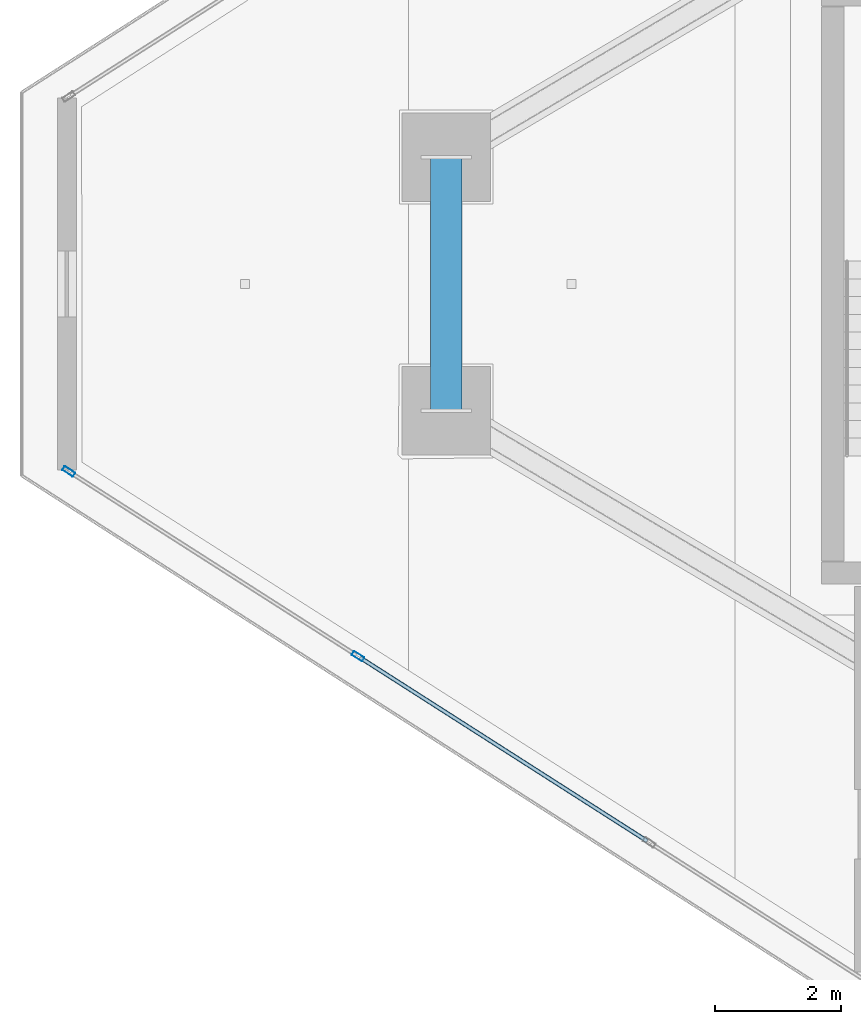
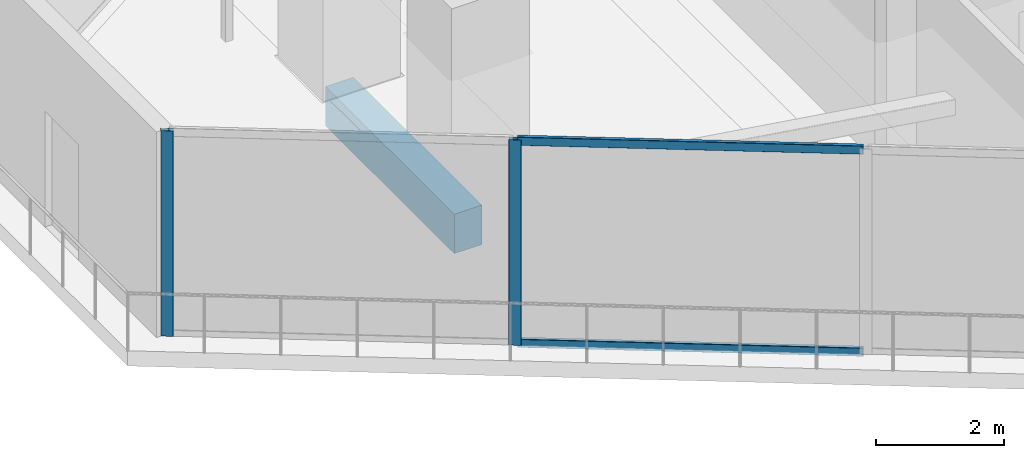
# One storey, part 5 of 30: 4 members, 1 beam, 1 element without a shape of its own.
"""IFC4 building model written with IfcOpenShell, lengths in metres."""

import ifcopenshell
import ifcopenshell.guid

model = None  # the IFC model being written
_history = None  # IfcOwnerHistory: only IFC2X3 demands one
_inside = {}  # id of a spatial element -> (the spatial element, [elements in it])
_under = {}  # id of a project, library or spatial element -> (it, [spatial elements below it])
_declared = {}  # id of a project -> (the project, [libraries it declares])
_typed = {}  # id of a type object -> (the type object, [elements of that type])
_made_of = {}  # id of a material, layer set ... -> (it, [elements and type objects made of it])


def new_model(schema):
    """Start an empty IFC model of exactly this schema.

    Asked for "IFC4X3", IfcOpenShell would pick the latest addendum, in which some entities
    have other attributes; the version numbers below select the first issue.
    IFC2X3 requires an IfcOwnerHistory on every rooted entity: one is made here for all.
    """
    global model, _history
    if schema == "IFC4X3":
        model = ifcopenshell.file(schema_version=(4, 3, 0, 0))
    else:
        model = ifcopenshell.file(schema=schema)
    _inside.clear()
    _under.clear()
    _declared.clear()
    _typed.clear()
    _made_of.clear()
    _history = None
    if model.schema == "IFC2X3":
        org = make("IfcOrganization", Name="unknown")
        user = make(
            "IfcPersonAndOrganization",
            ThePerson=make("IfcPerson", FamilyName="unknown"),
            TheOrganization=org,
        )
        app = make(
            "IfcApplication",
            ApplicationDeveloper=org,
            Version="unknown",
            ApplicationFullName="unknown",
            ApplicationIdentifier="unknown",
        )
        _history = make(
            "IfcOwnerHistory",
            OwningUser=user,
            OwningApplication=app,
            ChangeAction="ADDED",
            CreationDate=0,
        )
    return model


def make(cls, **values):
    """One entity of the class cls with the attributes given. An attribute that is None is left unset."""
    return model.create_entity(
        cls, **{name: value for name, value in values.items() if value is not None}
    )


def rooted(cls, **values):
    """An entity with a GlobalId (a new one), such as an element, a storey or a relation."""
    return make(cls, GlobalId=ifcopenshell.guid.new(), OwnerHistory=_history, **values)


def si_unit(unit_type, name, prefix=None):
    """IfcSIUnit, for example si_unit("LENGTHUNIT", "METRE", prefix="MILLI")."""
    return make("IfcSIUnit", UnitType=unit_type, Prefix=prefix, Name=name)


def assignment(units):
    """IfcUnitAssignment: the units of a project."""
    return None if units is None else make("IfcUnitAssignment", Units=units)


def point(xyz):
    """IfcCartesianPoint."""
    return None if xyz is None else make("IfcCartesianPoint", Coordinates=xyz)


def direction(xyz):
    """IfcDirection."""
    return None if xyz is None else make("IfcDirection", DirectionRatios=xyz)


def frame(location, z_axis=None, x_axis=None):
    """IfcAxis2Placement3D, a coordinate frame: its origin and axes. An axis left out is left unset."""
    return make(
        "IfcAxis2Placement3D",
        Location=point(location),
        Axis=direction(z_axis),
        RefDirection=direction(x_axis),
    )


def frame_2d(location, x_axis=None):
    """IfcAxis2Placement2D, a coordinate frame in the plane: its origin and x axis."""
    return make(
        "IfcAxis2Placement2D", Location=point(location), RefDirection=direction(x_axis)
    )


def origin():
    """The frame at (0, 0, 0) with its axes left unset."""
    return frame((0.0, 0.0, 0.0))


def origin_2d():
    """The frame at (0, 0) in the plane with its x axis left unset."""
    return frame_2d((0.0, 0.0))


def place(relative_to, where):
    """IfcLocalPlacement: puts the frame where relative to a parent placement (None: the world)."""
    return make(
        "IfcLocalPlacement", PlacementRelTo=relative_to, RelativePlacement=where
    )


def context(
    kind, dimensions, precision=None, world=None, true_north=None, identifier=None
):
    """IfcGeometricRepresentationContext, for example the 3D "Model" context."""
    return make(
        "IfcGeometricRepresentationContext",
        ContextIdentifier=identifier,
        ContextType=kind,
        CoordinateSpaceDimension=dimensions,
        Precision=precision,
        WorldCoordinateSystem=world,
        TrueNorth=true_north,
    )


def subcontext(parent, identifier, kind, view, scale=None):
    """IfcGeometricRepresentationSubContext, for example "Body" below "Model"."""
    return make(
        "IfcGeometricRepresentationSubContext",
        ContextIdentifier=identifier,
        ContextType=kind,
        ParentContext=parent,
        TargetScale=scale,
        TargetView=view,
    )


def project(units=None, contexts=None):
    """IfcProject with its units and contexts."""
    return rooted(
        "IfcProject",
        Name="project",
        RepresentationContexts=contexts,
        UnitsInContext=assignment(units),
    )


def spatial(cls, under=None, at=None, **own):
    """A site, building, storey or space (cls), placed at a placement, below another one or the project."""
    s = rooted(cls, ObjectPlacement=at, **own)
    if under is not None:
        _under.setdefault(under.id(), (under, []))[1].append(s)
    return s


def profile(cls, at=None, kind="AREA", **sizes):
    """A parametric profile (cls). Its sizes go by their IFC names, for example OverallWidth=200.0."""
    return make(cls, ProfileType=kind, Position=at, **sizes)


def rectangle(**sizes):
    """IfcRectangleProfileDef."""
    return profile("IfcRectangleProfileDef", **sizes)


def hollow_rectangle(**sizes):
    """IfcRectangleHollowProfileDef."""
    return profile("IfcRectangleHollowProfileDef", **sizes)


def extrude(swept, where, along, depth):
    """IfcExtrudedAreaSolid: the profile swept, set in the frame where, extruded along a direction by depth."""
    return make(
        "IfcExtrudedAreaSolid",
        SweptArea=swept,
        Position=where,
        ExtrudedDirection=direction(along),
        Depth=depth,
    )


def shape(context_of_items, identifier, shape_type, items):
    """IfcShapeRepresentation: the items that make up one representation, for example the "Body"."""
    return make(
        "IfcShapeRepresentation",
        ContextOfItems=context_of_items,
        RepresentationIdentifier=identifier,
        RepresentationType=shape_type,
        Items=items,
    )


def material(Name=None, Category=None):
    """IfcMaterial."""
    return make("IfcMaterial", Name=Name, Category=Category)


def layer(
    of_material, thickness, ventilated=None, Name=None, Category=None, Priority=None
):
    """IfcMaterialLayer: one layer of a wall or slab, of a material (None: an air gap)."""
    return make(
        "IfcMaterialLayer",
        Material=of_material,
        LayerThickness=thickness,
        IsVentilated=ventilated,
        Name=Name,
        Category=Category,
        Priority=Priority,
    )


def layer_set(layers, Name=None):
    """IfcMaterialLayerSet."""
    return make("IfcMaterialLayerSet", MaterialLayers=layers, LayerSetName=Name)


def material_profile(
    of_material, cross_section, Name=None, Category=None, Priority=None
):
    """IfcMaterialProfile: a cross section and its material."""
    return make(
        "IfcMaterialProfile",
        Name=Name,
        Material=of_material,
        Profile=cross_section,
        Priority=Priority,
        Category=Category,
    )


def profile_set(profiles, Name=None, composite=None):
    """IfcMaterialProfileSet."""
    return make(
        "IfcMaterialProfileSet",
        Name=Name,
        MaterialProfiles=profiles,
        CompositeProfile=composite,
    )


def made_of(thing, what):
    """Note that an element or type object is made of a material, layer set ...; save() writes the relation."""
    if what is not None:
        _made_of.setdefault(what.id(), (what, []))[1].append(thing)
    return thing


def type_object(cls, material=None, **own):
    """A type object (cls), such as IfcWallType, which elements share."""
    return made_of(rooted(cls, **own), material)


def element(
    cls,
    number,
    at=None,
    inside=None,
    cuts=None,
    type_object=None,
    material=None,
    context=None,
    identifier="Body",
    shape_type=None,
    held_by="IfcProductDefinitionShape",
    body=None,
    shapes=None,
    **own,
):
    """One element of the class cls, such as IfcWall. Its Tag is "e" and its number.

    at: its placement. inside: the storey or other place that contains it. cuts: it is an
    opening in that element (IfcRelVoidsElement). A single representation is given by context,
    identifier, shape_type and body (its items); several are given by shapes. held_by: the class
    of the entity that holds the representations. save() writes the other relations.
    """
    e = rooted(cls, Tag="e%d" % number, ObjectPlacement=at, **own)
    if body is not None:
        shapes = [shape(context, identifier, shape_type, body)]
    if shapes is not None:
        e.Representation = make(held_by, Representations=shapes)
    if inside is not None:
        _inside.setdefault(inside.id(), (inside, []))[1].append(e)
    if cuts is not None:
        rooted(
            "IfcRelVoidsElement", RelatingBuildingElement=cuts, RelatedOpeningElement=e
        )
    if type_object is not None:
        _typed.setdefault(type_object.id(), (type_object, []))[1].append(e)
    return made_of(e, material)


def aggregate(whole, parts):
    """IfcRelAggregates: a whole, such as a stair, and the parts it consists of."""
    return rooted("IfcRelAggregates", RelatingObject=whole, RelatedObjects=parts)


def save(model, path):
    """Write the relations noted so far, then the file.

    IfcRelAggregates (storeys below a building ...), IfcRelContainedInSpatialStructure (elements
    in a storey), IfcRelDefinesByType, IfcRelAssociatesMaterial and IfcRelDeclares: one each for
    every whole, place, type object, material and project.
    """
    for whole, parts in _under.values():
        aggregate(whole, parts)
    for where, things in _inside.values():
        rooted(
            "IfcRelContainedInSpatialStructure",
            RelatedElements=things,
            RelatingStructure=where,
        )
    for kind, things in _typed.values():
        rooted("IfcRelDefinesByType", RelatedObjects=things, RelatingType=kind)
    for what, things in _made_of.values():
        rooted("IfcRelAssociatesMaterial", RelatedObjects=things, RelatingMaterial=what)
    for by, libraries in _declared.values():
        rooted("IfcRelDeclares", RelatingContext=by, RelatedDefinitions=libraries)
    model.write(path)


model = new_model("IFC4")

# Units and contexts
model_context = context("Model", 3, precision=1e-05, world=origin(), true_north=direction((0.0, 1.0)))
body_context = subcontext(model_context, "Body", "Model", "MODEL_VIEW")
ifc_project = project(units=[si_unit("LENGTHUNIT", "METRE"), si_unit("AREAUNIT", "SQUARE_METRE"), si_unit("VOLUMEUNIT", "CUBIC_METRE"), si_unit("PLANEANGLEUNIT", "RADIAN"), si_unit("MASSUNIT", "GRAM", prefix="KILO")], contexts=[model_context])

# Site, building, storey
site_placement = place(None, origin())
site = spatial("IfcSite", under=ifc_project, at=site_placement, CompositionType="ELEMENT")
building_placement = place(site_placement, origin())
building = spatial("IfcBuilding", under=site, at=building_placement, Name="Qorvath Tower", CompositionType="ELEMENT")
storey_placement = place(building_placement, frame((0.0, 0.0, 289.199951171875)))
storey = spatial("IfcBuildingStorey", under=building, at=storey_placement, Name="L67", CompositionType="ELEMENT", Elevation=289.199951171875)

# Beam
ifc_material_1 = material(Name="Concrete C45/55", Category="concrete")
ifc_material_profile_1 = material_profile(ifc_material_1, rectangle(XDim=0.5, YDim=0.75, at=origin_2d()), Name="RCB 750x500")
ifc_profile_set_1 = profile_set([ifc_material_profile_1], Name="Concrete C45/55")
beam_type = type_object("IfcBeamType", Name="BM-RCB3", PredefinedType="SPANDREL", material=ifc_profile_set_1)
beam_placement = place(storey_placement, frame((-44.402587890625, 2.007568359375, -0.6650390625), z_axis=(0.0, -1.0, 0.0), x_axis=(1.0, 0.0, 0.0)))
element("IfcBeam", 1, at=beam_placement, inside=storey, type_object=beam_type, Name="Perimeter Loggia Frame Beam MC1-MC2 L67", PredefinedType="SPANDREL", context=body_context, shape_type="SweptSolid", body=[
    extrude(rectangle(XDim=0.5, YDim=0.75, at=origin_2d()), origin(), (0.0, 0.0, 1.0), 4.01513671875),
])

# Curtain wall, members
ifc_material_2 = material(Name="Anodised aluminium and triple low-E glass", Category="aluminium")
ifc_layer = layer(ifc_material_2, 0.179931640625)
ifc_layer_set = layer_set([ifc_layer], Name="CW-SYS-5")
curtain_wall_type = type_object("IfcCurtainWallType", Name="CW-SYS-5", PredefinedType="NOTDEFINED", material=ifc_layer_set)
curtain_wall_placement = place(storey_placement, origin())
curtain_wall = element("IfcCurtainWall", 2, at=curtain_wall_placement, inside=storey, type_object=curtain_wall_type, Name="Curtain Wall CW-5 CW-T-L67-2.1", PredefinedType="NOTDEFINED")
ifc_material_3 = material(Name="Anodised aluminium 6063-T6", Category="aluminium")
ifc_material_profile_2 = material_profile(ifc_material_3, hollow_rectangle(XDim=0.074951171875, YDim=0.199951171875, WallThickness=0.00390625, InnerFilletRadius=0.00390625, OuterFilletRadius=0.008056640625, at=origin_2d()), Name="CWM 200x75")
ifc_profile_set_2 = profile_set([ifc_material_profile_2], Name="Anodised aluminium 6063-T6")
member_type_1 = type_object("IfcMemberType", Name="CWM-200", PredefinedType="MULLION", material=ifc_profile_set_2)
member_1_placement = place(storey_placement, frame((-50.375, -2.9658203125, 0.0), z_axis=(0.0, 0.0, 1.0), x_axis=(0.538536873294, 0.842601944042, 0.0)))
member_1 = element("IfcMember", 3, at=member_1_placement, type_object=member_type_1, Name="CW-5 mullion 1", PredefinedType="MULLION", context=body_context, shape_type="SweptSolid", body=[
    extrude(hollow_rectangle(XDim=0.074951171875, YDim=0.199951171875, WallThickness=0.00390625, InnerFilletRadius=0.00390625, OuterFilletRadius=0.008056640625, at=origin_2d()), origin(), (0.0, 0.0, 1.0), 3.91015625),
])
member_2_placement = place(storey_placement, frame((-45.7978515625, -5.891357421875, 0.0), z_axis=(0.0, 0.0, 1.0), x_axis=(0.538536873294, 0.842601944042, 0.0)))
member_2 = element("IfcMember", 4, at=member_2_placement, type_object=member_type_1, Name="CW-5 mullion 2", PredefinedType="MULLION", context=body_context, shape_type="SweptSolid", body=[
    extrude(hollow_rectangle(XDim=0.074951171875, YDim=0.199951171875, WallThickness=0.00390625, InnerFilletRadius=0.00390625, OuterFilletRadius=0.008056640625, at=origin_2d()), origin(), (0.0, 0.0, 1.0), 3.91015625),
])
ifc_material_4 = material(Name="Anodised aluminium 6063-T6", Category="aluminium")
ifc_material_profile_3 = material_profile(ifc_material_4, hollow_rectangle(XDim=0.06494140625, YDim=0.159912109375, WallThickness=0.00341796875, InnerFilletRadius=0.00341796875, OuterFilletRadius=0.007080078125, at=origin_2d()), Name="CWT 160x65")
ifc_profile_set_3 = profile_set([ifc_material_profile_3], Name="Anodised aluminium 6063-T6")
member_type_2 = type_object("IfcMemberType", Name="CWT-160", PredefinedType="USERDEFINED", material=ifc_profile_set_3)
member_3_placement = place(storey_placement, frame((-45.766357421875, -5.911376953125, 0.032470703125), z_axis=(0.842603282272, -0.538534779475, 0.0), x_axis=(0.538534779475, 0.842603282272, 0.0)))
member_3 = element("IfcMember", 5, at=member_3_placement, type_object=member_type_2, Name="CW-5 transom 2.1", ObjectType="TRANSOM", PredefinedType="USERDEFINED", context=body_context, shape_type="SweptSolid", body=[
    extrude(hollow_rectangle(XDim=0.06494140625, YDim=0.159912109375, WallThickness=0.00341796875, InnerFilletRadius=0.00341796875, OuterFilletRadius=0.007080078125, at=origin_2d()), origin(), (0.0, 0.0, 1.0), 5.394775390625),
])
member_4_placement = place(storey_placement, frame((-45.766357421875, -5.911376953125, 3.877685546875), z_axis=(0.842603282272, -0.538534779475, 0.0), x_axis=(0.538534779475, 0.842603282272, 0.0)))
member_4 = element("IfcMember", 6, at=member_4_placement, type_object=member_type_2, Name="CW-5 transom 2.2", ObjectType="TRANSOM", PredefinedType="USERDEFINED", context=body_context, shape_type="SweptSolid", body=[
    extrude(hollow_rectangle(XDim=0.06494140625, YDim=0.159912109375, WallThickness=0.00341796875, InnerFilletRadius=0.00341796875, OuterFilletRadius=0.007080078125, at=origin_2d()), origin(), (0.0, 0.0, 1.0), 5.394775390625),
])
aggregate(curtain_wall, [member_1, member_2, member_3, member_4])

save(model, "model.ifc")
